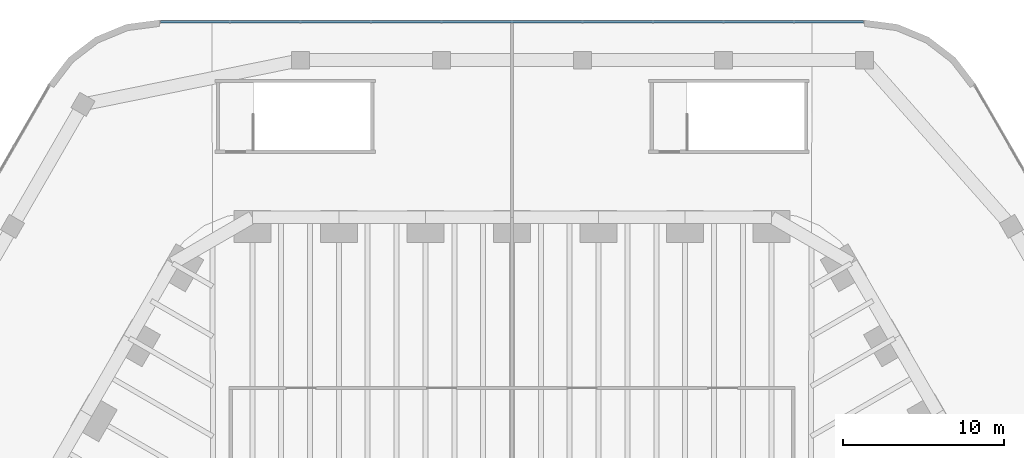
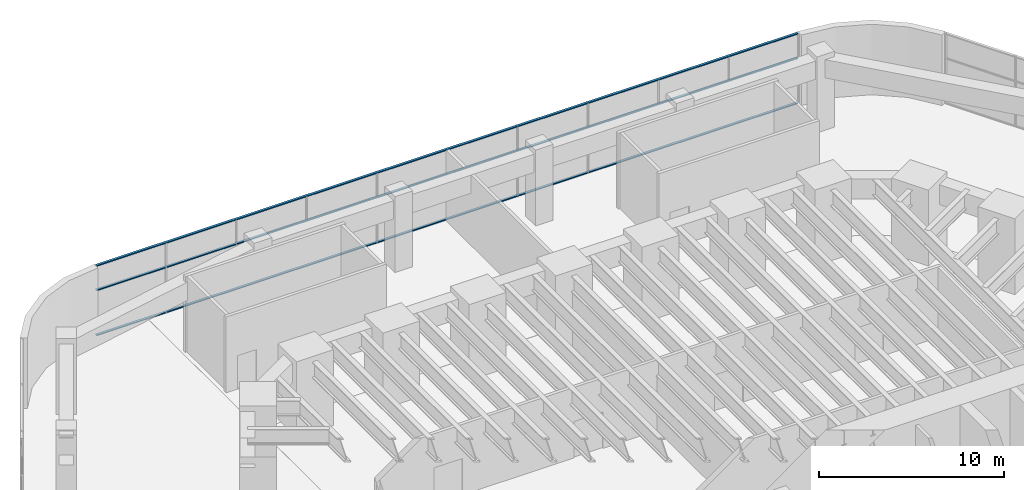
# One storey, part 19 of 31: 3 members, 1 element without a shape of its own.
"""IFC4 building model written with IfcOpenShell, lengths in metres."""

from ifc_helpers import new_model, si_unit, direction, frame, origin, origin_2d, place, context, subcontext, project, spatial, rectangle, extrude, material, material_profile, profile_set, type_object, element, aggregate, save


model = new_model("IFC4")

# Units and contexts
model_context = context("Model", 3, precision=1e-05, world=origin(), true_north=direction((0.0, 1.0)))
body_context = subcontext(model_context, "Body", "Model", "MODEL_VIEW")
ifc_project = project(units=[si_unit("LENGTHUNIT", "METRE"), si_unit("AREAUNIT", "SQUARE_METRE"), si_unit("VOLUMEUNIT", "CUBIC_METRE"), si_unit("PLANEANGLEUNIT", "RADIAN"), si_unit("MASSUNIT", "GRAM", prefix="KILO")], contexts=[model_context])

# Site, building, storey
site_placement = place(None, origin())
site = spatial("IfcSite", under=ifc_project, at=site_placement, CompositionType="ELEMENT")
building_placement = place(site_placement, origin())
building = spatial("IfcBuilding", under=site, at=building_placement, Name="Tarfa Lantern Tower", CompositionType="ELEMENT")
storey_placement = place(building_placement, frame((0.0, 0.0, 18.5)))
storey = spatial("IfcBuildingStorey", under=building, at=storey_placement, Name="L03", CompositionType="ELEMENT", Elevation=18.5)

# Curtain wall, members
ifc_material_1 = material(Name="Aluminium framed curtain wall", Category="aluminium")
curtain_wall_type = type_object("IfcCurtainWallType", Name="CW7 PODIUM GLAZING 4650", PredefinedType="USERDEFINED", material=ifc_material_1)
curtain_wall_placement = place(storey_placement, origin())
curtain_wall = element("IfcCurtainWall", 1, at=curtain_wall_placement, inside=storey, type_object=curtain_wall_type, Name="CW7 N L03", ObjectType="CURTAIN WALL", PredefinedType="USERDEFINED")
ifc_material_2 = material(Name="Aluminium transom", Category="aluminium")
ifc_material_profile = material_profile(ifc_material_2, rectangle(XDim=0.14990234375, YDim=0.06494140625, at=origin_2d()), Name="AL TRANSOM 150x65")
ifc_profile_set = profile_set([ifc_material_profile], Name="Aluminium transom")
member_type = type_object("IfcMemberType", Name="CWT1 TRANSOM 150x65", PredefinedType="USERDEFINED", material=ifc_profile_set)
member_1_placement = place(storey_placement, frame((21.874267578125, 45.89990234375, 0.032470703125), z_axis=(-1.0, 0.0, 0.0), x_axis=(0.0, -1.0, 0.0)))
member_1 = element("IfcMember", 2, at=member_1_placement, type_object=member_type, Name="CW7 transom 1.1", ObjectType="TRANSOM", PredefinedType="USERDEFINED", context=body_context, shape_type="SweptSolid", body=[
    extrude(rectangle(XDim=0.14990234375, YDim=0.06494140625, at=origin_2d()), origin(), (0.0, 0.0, 1.0), 43.74853515625),
])
member_2_placement = place(storey_placement, frame((21.874267578125, 45.89990234375, 3.0), z_axis=(-1.0, 0.0, 0.0), x_axis=(0.0, -1.0, 0.0)))
member_2 = element("IfcMember", 3, at=member_2_placement, type_object=member_type, Name="CW7 transom 1.2", ObjectType="TRANSOM", PredefinedType="USERDEFINED", context=body_context, shape_type="SweptSolid", body=[
    extrude(rectangle(XDim=0.14990234375, YDim=0.06494140625, at=origin_2d()), origin(), (0.0, 0.0, 1.0), 43.74853515625),
])
member_3_placement = place(storey_placement, frame((21.874267578125, 45.89990234375, 4.617431640625), z_axis=(-1.0, 0.0, 0.0), x_axis=(0.0, -1.0, 0.0)))
member_3 = element("IfcMember", 4, at=member_3_placement, type_object=member_type, Name="CW7 transom 1.3", ObjectType="TRANSOM", PredefinedType="USERDEFINED", context=body_context, shape_type="SweptSolid", body=[
    extrude(rectangle(XDim=0.14990234375, YDim=0.06494140625, at=origin_2d()), origin(), (0.0, 0.0, 1.0), 43.74853515625),
])
aggregate(curtain_wall, [member_1, member_2, member_3])

save(model, "model.ifc")
